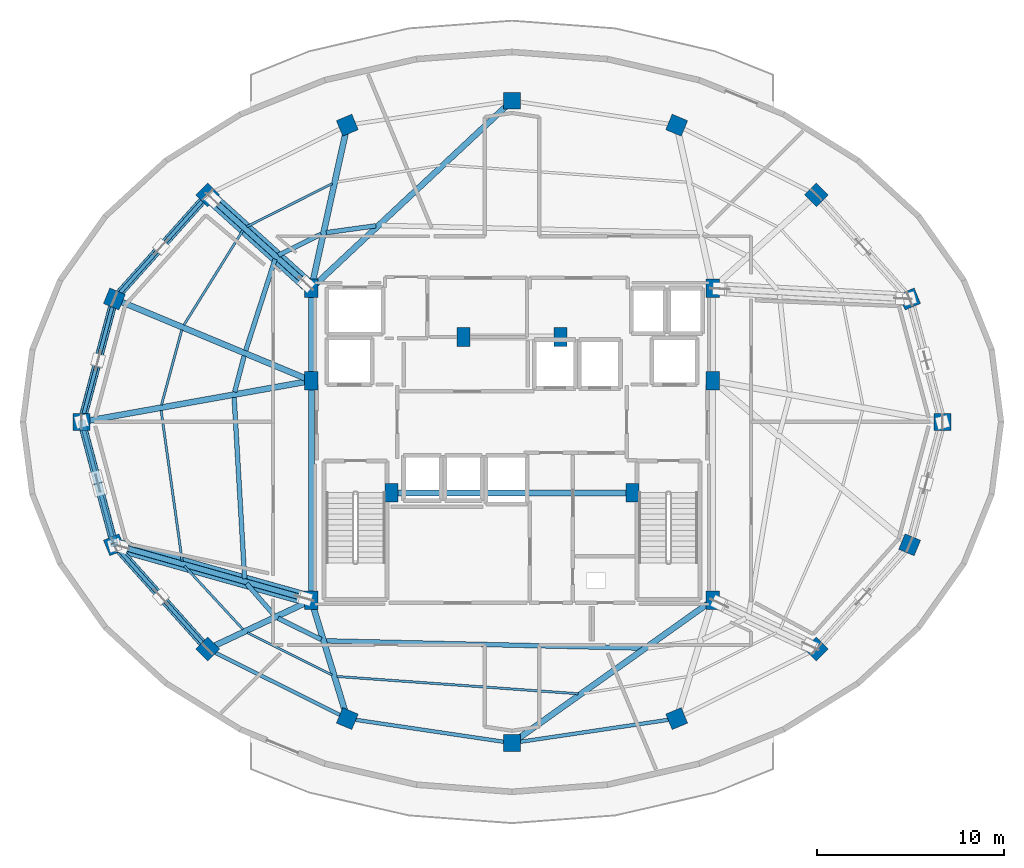
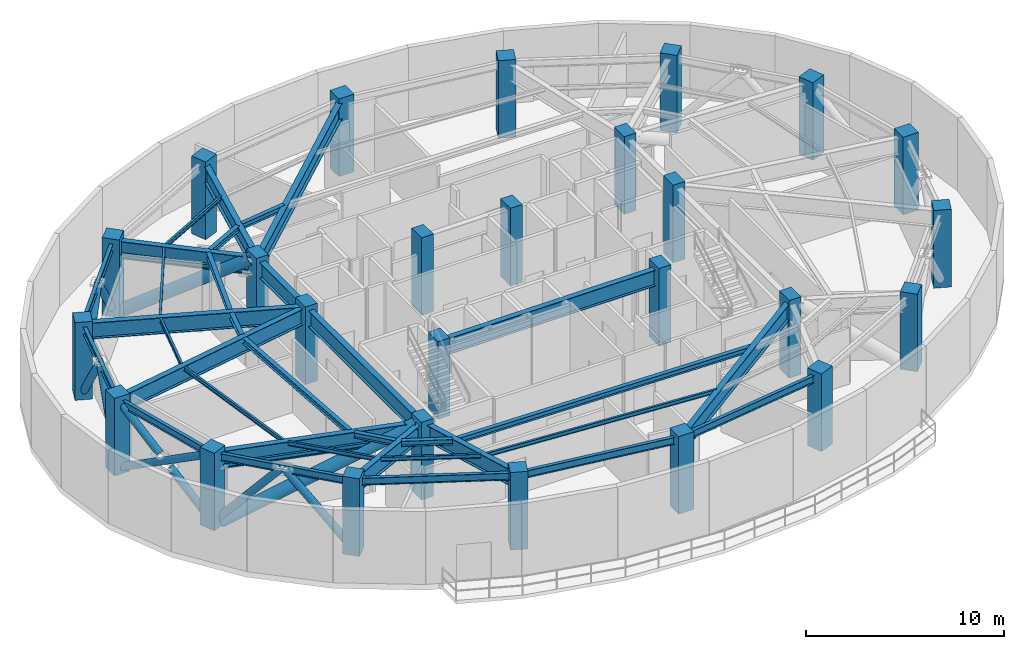
# One storey, part 1 of 10: 34 beams, 26 columns, 13 members.
"""IFC4 building model written with IfcOpenShell, lengths in metres."""

from ifc_helpers import new_model, si_unit, direction, frame, origin, origin_2d, place, context, subcontext, project, spatial, rectangle, hollow_rectangle, hollow_circle, i_section, extrude, material, material_profile, profile_set, type_object, element, save


model = new_model("IFC4")

# Units and contexts
model_context = context("Model", 3, precision=1e-05, world=origin(), true_north=direction((0.0, 1.0)))
body_context = subcontext(model_context, "Body", "Model", "MODEL_VIEW")
ifc_project = project(units=[si_unit("LENGTHUNIT", "METRE"), si_unit("AREAUNIT", "SQUARE_METRE"), si_unit("VOLUMEUNIT", "CUBIC_METRE"), si_unit("PLANEANGLEUNIT", "RADIAN"), si_unit("MASSUNIT", "GRAM", prefix="KILO")], contexts=[model_context])

# Site, building, storey
site_placement = place(None, origin())
site = spatial("IfcSite", under=ifc_project, at=site_placement, CompositionType="ELEMENT")
building_placement = place(site_placement, origin())
building = spatial("IfcBuilding", under=site, at=building_placement, Name="Vorneva Point Tower", CompositionType="ELEMENT")
storey_placement = place(building_placement, frame((0.0, 0.0, 224.949951171875)))
storey = spatial("IfcBuildingStorey", under=building, at=storey_placement, Name="L61", CompositionType="ELEMENT", Elevation=224.949951171875)

# Columns
ifc_material_1 = material(Name="Concrete B50 (C40/50)", Category="concrete")
ifc_material_profile_1 = material_profile(ifc_material_1, rectangle(XDim=0.89990234375, YDim=0.89990234375, at=origin_2d()), Name="RC-COL 900x900")
ifc_profile_set_1 = profile_set([ifc_material_profile_1], Name="Concrete B50 (C40/50)")
column_type_1 = type_object("IfcColumnType", Name="COL-RC900", PredefinedType="COLUMN", material=ifc_profile_set_1)
for number, where, z_axis, x_axis, name in (
    (1, (61.050048828125, 26.0, 0.0), (0.0, 0.0, 1.0), (1.0, 0.0, 0.0), "L61 Perimeter Column P01"),
    (2, (59.29541015625, 32.582275390625, 0.0), (0.0, 0.0, 1.0), (0.923879532511, 0.382683432365, 0.0), "L61 Perimeter Column P02"),
    (3, (54.298828125, 38.162109375, 0.0), (0.0, 0.0, 1.0), (0.707106781187, 0.707106781187, 0.0), "L61 Perimeter Column P03"),
    (4, (46.82080078125, 41.890625, 0.0), (0.0, 0.0, 1.0), (0.382683432365, 0.923879532511, 0.0), "L61 Perimeter Column P04"),
    (5, (38.0, 43.199951171875, 0.0), (0.0, 0.0, 1.0), (0.0, 1.0, 0.0), "L61 Perimeter Column P05"),
    (6, (29.17919921875, 41.890625, 0.0), (0.0, 0.0, 1.0), (-0.382683432365, 0.923879532511, 0.0), "L61 Perimeter Column P06"),
    (7, (21.701171875, 38.162109375, 0.0), (0.0, 0.0, 1.0), (-0.707106781187, 0.707106781187, 0.0), "L61 Perimeter Column P07"),
    (8, (16.70458984375, 32.582275390625, 0.0), (0.0, 0.0, 1.0), (-0.923879532511, 0.382683432365, 0.0), "L61 Perimeter Column P08"),
    (9, (14.949951171875, 26.0, 0.0), (0.0, 0.0, 1.0), (-1.0, 0.0, 0.0), "L61 Perimeter Column P09"),
    (10, (16.70458984375, 19.417724609375, 0.0), (0.0, 0.0, 1.0), (-0.923879532511, -0.382683432365, 0.0), "L61 Perimeter Column P10"),
    (11, (21.701171875, 13.837890625, 0.0), (0.0, 0.0, 1.0), (-0.707106781187, -0.707106781187, 0.0), "L61 Perimeter Column P11"),
    (12, (29.17919921875, 10.109375, 0.0), (0.0, 0.0, 1.0), (-0.382683432365, -0.923879532511, 0.0), "L61 Perimeter Column P12"),
    (13, (38.0, 8.800048828125, 0.0), (0.0, 0.0, 1.0), (0.0, -1.0, 0.0), "L61 Perimeter Column P13"),
    (14, (46.82080078125, 10.109375, 0.0), (0.0, 0.0, 1.0), (0.382683432365, -0.923879532511, 0.0), "L61 Perimeter Column P14"),
    (15, (54.298828125, 13.837890625, 0.0), (0.0, 0.0, 1.0), (0.707106781187, -0.707106781187, 0.0), "L61 Perimeter Column P15"),
    (16, (59.29541015625, 19.417724609375, 0.0), (0.0, 0.0, 1.0), (0.923879532511, -0.382683432365, 0.0), "L61 Perimeter Column P16"),
):
    element("IfcColumn", number, at=place(storey_placement, frame(where, z_axis=z_axis, x_axis=x_axis)), inside=storey, type_object=column_type_1, Name=name, PredefinedType="COLUMN", context=body_context, shape_type="SweptSolid", body=[
        extrude(rectangle(XDim=0.89990234375, YDim=0.89990234375, at=origin_2d()), origin(), (0.0, 0.0, 1.0), 4.800048828125),
    ])
ifc_material_profile_2 = material_profile(ifc_material_1, rectangle(XDim=0.699951171875, YDim=1.0, at=origin_2d()), Name="RC-PIL 1000x700")
ifc_profile_set_2 = profile_set([ifc_material_profile_2], Name="Concrete B50 (C40/50)")
column_type_2 = type_object("IfcColumnType", Name="PIL-RC1000x700", PredefinedType="PILASTER", material=ifc_profile_set_2)
for number, where, z_axis, x_axis, name in (
    (17, (27.25, 16.449951171875, 0.0), (0.0, 0.0, 1.0), (1.0, 0.0, 0.0), "L61 Core Pilaster CP1"),
    (18, (27.25, 28.199951171875, 0.0), (0.0, 0.0, 1.0), (1.0, 0.0, 0.0), "L61 Core Pilaster CP2"),
    (19, (27.25, 33.14990234375, 0.0), (0.0, 0.0, 1.0), (1.0, 0.0, 0.0), "L61 Core Pilaster CP3"),
    (20, (31.550048828125, 22.199951171875, 0.0), (0.0, 0.0, 1.0), (1.0, 0.0, 0.0), "L61 Core Pilaster CP4"),
    (21, (48.75, 33.14990234375, 0.0), (0.0, 0.0, 1.0), (1.0, 0.0, 0.0), "L61 Core Pilaster CP5"),
    (22, (48.75, 28.199951171875, 0.0), (0.0, 0.0, 1.0), (1.0, 0.0, 0.0), "L61 Core Pilaster CP6"),
    (23, (48.75, 16.449951171875, 0.0), (0.0, 0.0, 1.0), (1.0, 0.0, 0.0), "L61 Core Pilaster CP7"),
    (24, (44.449951171875, 22.199951171875, 0.0), (0.0, 0.0, 1.0), (1.0, 0.0, 0.0), "L61 Core Pilaster CP8"),
    (25, (35.39990234375, 30.550048828125, 0.0), (0.0, 0.0, 1.0), (1.0, 0.0, 0.0), "L61 Core Pilaster CP9"),
    (26, (40.60009765625, 30.550048828125, 0.0), (0.0, 0.0, 1.0), (1.0, 0.0, 0.0), "L61 Core Pilaster CP10"),
):
    element("IfcColumn", number, at=place(storey_placement, frame(where, z_axis=z_axis, x_axis=x_axis)), inside=storey, type_object=column_type_2, Name=name, PredefinedType="PILASTER", context=body_context, shape_type="SweptSolid", body=[
        extrude(rectangle(XDim=0.699951171875, YDim=1.0, at=origin_2d()), origin(), (0.0, 0.0, 1.0), 4.800048828125),
    ])

# Beams
ifc_material_2 = material(Name="Steel S460", Category="steel")
ifc_material_profile_3 = material_profile(ifc_material_2, i_section(OverallWidth=0.320068359375, OverallDepth=0.998046875, WebThickness=0.01708984375, FlangeThickness=0.027099609375, at=origin_2d()), Name="100Sh2")
ifc_profile_set_3 = profile_set([ifc_material_profile_3], Name="Steel S460")
beam_type_1 = type_object("IfcBeamType", Name="BM-GRD-100Sh2", PredefinedType="USERDEFINED", material=ifc_profile_set_3)
beam_1_placement = place(storey_placement, frame((37.679931640625, 42.90087890625, 4.0009765625), z_axis=(-0.730484767146, -0.682928989696, 0.0), x_axis=(0.682928989696, -0.730484767146, 0.0)))
element("IfcBeam", 27, at=beam_1_placement, inside=storey, type_object=beam_type_1, Name="L61 Radial Primary Girder 05", ObjectType="GIRDER", PredefinedType="USERDEFINED", context=body_context, shape_type="SweptSolid", body=[
    extrude(i_section(OverallWidth=0.320068359375, OverallDepth=0.998046875, WebThickness=0.01708984375, FlangeThickness=0.027099609375, at=origin_2d()), origin(), (0.0, 0.0, 1.0), 13.938232421875),
])
beam_2_placement = place(storey_placement, frame((29.084716796875, 41.462890625, 4.0009765625), z_axis=(-0.215522758292, -0.976498817541, 0.0), x_axis=(0.976498817541, -0.215522758292, 0.0)))
element("IfcBeam", 28, at=beam_2_placement, inside=storey, type_object=beam_type_1, Name="L61 Radial Primary Girder 06", ObjectType="GIRDER", PredefinedType="USERDEFINED", context=body_context, shape_type="SweptSolid", body=[
    extrude(i_section(OverallWidth=0.320068359375, OverallDepth=0.998046875, WebThickness=0.01708984375, FlangeThickness=0.027099609375, at=origin_2d()), origin(), (0.0, 0.0, 1.0), 8.173095703125),
])
beam_3_placement = place(storey_placement, frame((22.026123046875, 37.86865234375, 4.0009765625), z_axis=(0.742089778537, -0.670300500217, 0.0), x_axis=(0.670300500217, 0.742089778537, 0.0)))
element("IfcBeam", 29, at=beam_3_placement, inside=storey, type_object=beam_type_1, Name="L61 Radial Primary Girder 07", ObjectType="GIRDER", PredefinedType="USERDEFINED", context=body_context, shape_type="SweptSolid", body=[
    extrude(i_section(OverallWidth=0.320068359375, OverallDepth=0.998046875, WebThickness=0.01708984375, FlangeThickness=0.027099609375, at=origin_2d()), origin(), (0.0, 0.0, 1.0), 6.699462890625),
])
beam_4_placement = place(storey_placement, frame((17.109130859375, 32.4140625, 4.0009765625), z_axis=(0.923445067159, -0.383730645035, 0.0), x_axis=(0.383730645035, 0.923445067159, 0.0)))
element("IfcBeam", 30, at=beam_4_placement, inside=storey, type_object=beam_type_1, Name="L61 Radial Primary Girder 08", ObjectType="GIRDER", PredefinedType="USERDEFINED", context=body_context, shape_type="SweptSolid", body=[
    extrude(i_section(OverallWidth=0.320068359375, OverallDepth=0.998046875, WebThickness=0.01708984375, FlangeThickness=0.027099609375, at=origin_2d()), origin(), (0.0, 0.0, 1.0), 10.6416015625),
])
beam_5_placement = place(storey_placement, frame((15.381103515625, 26.0771484375, 4.0009765625), z_axis=(0.984378602255, 0.176064668298, 0.0), x_axis=(-0.176064668298, 0.984378602255, 0.0)))
element("IfcBeam", 31, at=beam_5_placement, inside=storey, type_object=beam_type_1, Name="L61 Radial Primary Girder 09", ObjectType="GIRDER", PredefinedType="USERDEFINED", context=body_context, shape_type="SweptSolid", body=[
    extrude(i_section(OverallWidth=0.320068359375, OverallDepth=0.998046875, WebThickness=0.01708984375, FlangeThickness=0.027099609375, at=origin_2d()), origin(), (0.0, 0.0, 1.0), 11.71728515625),
])
beam_6_placement = place(storey_placement, frame((17.126220703125, 19.299072265625, 4.0009765625), z_axis=(0.962603641144, -0.270913694847, 0.0), x_axis=(0.270913694847, 0.962603641144, 0.0)))
element("IfcBeam", 32, at=beam_6_placement, inside=storey, type_object=beam_type_1, Name="L61 Radial Primary Girder 10", ObjectType="GIRDER", PredefinedType="USERDEFINED", context=body_context, shape_type="SweptSolid", body=[
    extrude(i_section(OverallWidth=0.320068359375, OverallDepth=0.998046875, WebThickness=0.01708984375, FlangeThickness=0.027099609375, at=origin_2d()), origin(), (0.0, 0.0, 1.0), 10.177001953125),
])
beam_7_placement = place(storey_placement, frame((22.097412109375, 14.0244140625, 4.0009765625), z_axis=(0.904762899762, 0.42591559635, 0.0), x_axis=(-0.42591559635, 0.904762899762, 0.0)))
element("IfcBeam", 33, at=beam_7_placement, inside=storey, type_object=beam_type_1, Name="L61 Radial Primary Girder 11", ObjectType="GIRDER", PredefinedType="USERDEFINED", context=body_context, shape_type="SweptSolid", body=[
    extrude(i_section(OverallWidth=0.320068359375, OverallDepth=0.998046875, WebThickness=0.01708984375, FlangeThickness=0.027099609375, at=origin_2d()), origin(), (0.0, 0.0, 1.0), 5.35498046875),
])
beam_8_placement = place(storey_placement, frame((29.051513671875, 10.5283203125, 4.0009765625), z_axis=(-0.291025429135, 0.956715317948, 0.0), x_axis=(-0.956715317948, -0.291025429135, 0.0)))
element("IfcBeam", 34, at=beam_8_placement, inside=storey, type_object=beam_type_1, Name="L61 Radial Primary Girder 12", ObjectType="GIRDER", PredefinedType="USERDEFINED", context=body_context, shape_type="SweptSolid", body=[
    extrude(i_section(OverallWidth=0.320068359375, OverallDepth=0.998046875, WebThickness=0.01708984375, FlangeThickness=0.027099609375, at=origin_2d()), origin(), (0.0, 0.0, 1.0), 5.849609375),
])
beam_9_placement = place(storey_placement, frame((38.35693359375, 9.053955078125, 4.0009765625), z_axis=(0.814749933852, 0.579812508737, 0.0), x_axis=(-0.579812508737, 0.814749933852, 0.0)))
element("IfcBeam", 35, at=beam_9_placement, inside=storey, type_object=beam_type_1, Name="L61 Radial Primary Girder 13", ObjectType="GIRDER", PredefinedType="USERDEFINED", context=body_context, shape_type="SweptSolid", body=[
    extrude(i_section(OverallWidth=0.320068359375, OverallDepth=0.998046875, WebThickness=0.01708984375, FlangeThickness=0.027099609375, at=origin_2d()), origin(), (0.0, 0.0, 1.0), 12.416015625),
])
beam_10_placement = place(storey_placement, frame((27.25, 16.77001953125, 4.0009765625), z_axis=(0.0, 1.0, 0.0), x_axis=(-1.0, 0.0, 0.0)))
element("IfcBeam", 36, at=beam_10_placement, inside=storey, type_object=beam_type_1, Name="L61 Core Tie Girder CT1", ObjectType="GIRDER", PredefinedType="USERDEFINED", context=body_context, shape_type="SweptSolid", body=[
    extrude(i_section(OverallWidth=0.320068359375, OverallDepth=0.998046875, WebThickness=0.01708984375, FlangeThickness=0.027099609375, at=origin_2d()), origin(), (0.0, 0.0, 1.0), 11.10986328125),
])
beam_11_placement = place(storey_placement, frame((27.25, 28.52001953125, 4.0009765625), z_axis=(0.0, 1.0, 0.0), x_axis=(-1.0, 0.0, 0.0)))
element("IfcBeam", 37, at=beam_11_placement, inside=storey, type_object=beam_type_1, Name="L61 Core Tie Girder CT2", ObjectType="GIRDER", PredefinedType="USERDEFINED", context=body_context, shape_type="SweptSolid", body=[
    extrude(i_section(OverallWidth=0.320068359375, OverallDepth=0.998046875, WebThickness=0.01708984375, FlangeThickness=0.027099609375, at=origin_2d()), origin(), (0.0, 0.0, 1.0), 4.31005859375),
])
beam_12_placement = place(storey_placement, frame((31.8701171875, 22.199951171875, 4.0009765625), z_axis=(1.0, 0.0, 0.0), x_axis=(0.0, 1.0, 0.0)))
element("IfcBeam", 38, at=beam_12_placement, inside=storey, type_object=beam_type_1, Name="L61 Core Tie Girder CT7", ObjectType="GIRDER", PredefinedType="USERDEFINED", context=body_context, shape_type="SweptSolid", body=[
    extrude(i_section(OverallWidth=0.320068359375, OverallDepth=0.998046875, WebThickness=0.01708984375, FlangeThickness=0.027099609375, at=origin_2d()), origin(), (0.0, 0.0, 1.0), 12.259765625),
])
ifc_material_3 = material(Name="Steel S355", Category="steel")
ifc_material_profile_4 = material_profile(ifc_material_3, i_section(OverallWidth=0.1240234375, OverallDepth=0.248046875, WebThickness=0.0048828125, FlangeThickness=0.008056640625, at=origin_2d()), Name="25B1")
ifc_profile_set_4 = profile_set([ifc_material_profile_4], Name="Steel S355")
beam_type_2 = type_object("IfcBeamType", Name="BM-JST-25B1", PredefinedType="JOIST", material=ifc_profile_set_4)
beam_13_placement = place(storey_placement, frame((28.371337890625, 38.7626953125, 4.3759765625), z_axis=(-0.892618397327, -0.450813039688, 0.0), x_axis=(0.450813039688, -0.892618397327, 0.0)))
element("IfcBeam", 39, at=beam_13_placement, inside=storey, type_object=beam_type_2, Name="L61 Secondary Floor Beam 1.06", PredefinedType="JOIST", context=body_context, shape_type="SweptSolid", body=[
    extrude(i_section(OverallWidth=0.1240234375, OverallDepth=0.248046875, WebThickness=0.0048828125, FlangeThickness=0.008056640625, at=origin_2d()), origin(), (0.0, 0.0, 1.0), 5.12255859375),
])
beam_14_placement = place(storey_placement, frame((23.58837890625, 36.260986328125, 4.3759765625), z_axis=(-0.528815219651, -0.848736981323, 0.0), x_axis=(0.848736981323, -0.528815219651, 0.0)))
element("IfcBeam", 40, at=beam_14_placement, inside=storey, type_object=beam_type_2, Name="L61 Secondary Floor Beam 1.07", PredefinedType="JOIST", context=body_context, shape_type="SweptSolid", body=[
    extrude(i_section(OverallWidth=0.1240234375, OverallDepth=0.248046875, WebThickness=0.0048828125, FlangeThickness=0.008056640625, at=origin_2d()), origin(), (0.0, 0.0, 1.0), 5.97216796875),
])
beam_15_placement = place(storey_placement, frame((20.3134765625, 30.923583984375, 4.3759765625), z_axis=(-0.260950343506, -0.965352224954, 0.0), x_axis=(0.965352224954, -0.260950343506, 0.0)))
element("IfcBeam", 41, at=beam_15_placement, inside=storey, type_object=beam_type_2, Name="L61 Secondary Floor Beam 1.08", PredefinedType="JOIST", context=body_context, shape_type="SweptSolid", body=[
    extrude(i_section(OverallWidth=0.1240234375, OverallDepth=0.248046875, WebThickness=0.0048828125, FlangeThickness=0.008056640625, at=origin_2d()), origin(), (0.0, 0.0, 1.0), 4.1669921875),
])
beam_16_placement = place(storey_placement, frame((19.2080078125, 26.611328125, 4.3759765625), z_axis=(0.138624939768, -0.990344953072, 0.0), x_axis=(0.990344953072, 0.138624939768, 0.0)))
element("IfcBeam", 42, at=beam_16_placement, inside=storey, type_object=beam_type_2, Name="L61 Secondary Floor Beam 1.09", PredefinedType="JOIST", context=body_context, shape_type="SweptSolid", body=[
    extrude(i_section(OverallWidth=0.1240234375, OverallDepth=0.248046875, WebThickness=0.0048828125, FlangeThickness=0.008056640625, at=origin_2d()), origin(), (0.0, 0.0, 1.0), 8.154052734375),
])
beam_17_placement = place(storey_placement, frame((20.45947265625, 18.280517578125, 4.3759765625), z_axis=(0.678611313889, -0.734497572945, 0.0), x_axis=(0.734497572945, 0.678611313889, 0.0)))
element("IfcBeam", 43, at=beam_17_placement, inside=storey, type_object=beam_type_2, Name="L61 Secondary Floor Beam 1.10", PredefinedType="JOIST", context=body_context, shape_type="SweptSolid", body=[
    extrude(i_section(OverallWidth=0.1240234375, OverallDepth=0.248046875, WebThickness=0.0048828125, FlangeThickness=0.008056640625, at=origin_2d()), origin(), (0.0, 0.0, 1.0), 4.621826171875),
])
beam_18_placement = place(storey_placement, frame((23.82861328125, 14.710693359375, 4.3759765625), z_axis=(0.894041288209, -0.447984570022, 0.0), x_axis=(0.447984570022, 0.894041288209, 0.0)))
element("IfcBeam", 44, at=beam_18_placement, inside=storey, type_object=beam_type_2, Name="L61 Secondary Floor Beam 1.11", PredefinedType="JOIST", context=body_context, shape_type="SweptSolid", body=[
    extrude(i_section(OverallWidth=0.1240234375, OverallDepth=0.248046875, WebThickness=0.0048828125, FlangeThickness=0.008056640625, at=origin_2d()), origin(), (0.0, 0.0, 1.0), 5.0654296875),
])
beam_19_placement = place(storey_placement, frame((28.637451171875, 12.364501953125, 4.3759765625), z_axis=(0.997446813164, -0.071413268431, 0.0), x_axis=(0.071413268431, 0.997446813164, 0.0)))
element("IfcBeam", 45, at=beam_19_placement, inside=storey, type_object=beam_type_2, Name="L61 Secondary Floor Beam 1.12", PredefinedType="JOIST", context=body_context, shape_type="SweptSolid", body=[
    extrude(i_section(OverallWidth=0.1240234375, OverallDepth=0.248046875, WebThickness=0.0048828125, FlangeThickness=0.008056640625, at=origin_2d()), origin(), (0.0, 0.0, 1.0), 12.943115234375),
])
ifc_material_profile_5 = material_profile(ifc_material_3, i_section(OverallWidth=0.2490234375, OverallDepth=0.333984375, WebThickness=0.008056640625, FlangeThickness=0.010986328125, at=origin_2d()), Name="35Sh1")
ifc_profile_set_5 = profile_set([ifc_material_profile_5], Name="Steel S355")
beam_type_3 = type_object("IfcBeamType", Name="BM-SEC-35Sh1", PredefinedType="BEAM", material=ifc_profile_set_5)
beam_20_placement = place(storey_placement, frame((30.711669921875, 36.503173828125, 4.3330078125), z_axis=(-0.990609245056, -0.136723529831, 0.0), x_axis=(0.136723529831, -0.990609245056, 0.0)))
element("IfcBeam", 46, at=beam_20_placement, inside=storey, type_object=beam_type_3, Name="L61 Secondary Floor Beam 2.05", PredefinedType="BEAM", context=body_context, shape_type="SweptSolid", body=[
    extrude(i_section(OverallWidth=0.2490234375, OverallDepth=0.333984375, WebThickness=0.008056640625, FlangeThickness=0.010986328125, at=origin_2d()), origin(), (0.0, 0.0, 1.0), 2.685546875),
])
beam_21_placement = place(storey_placement, frame((27.771728515625, 36.05029296875, 4.3330078125), z_axis=(-0.896927178467, -0.442178285907, 0.0), x_axis=(0.442178285907, -0.896927178467, 0.0)))
element("IfcBeam", 47, at=beam_21_placement, inside=storey, type_object=beam_type_3, Name="L61 Secondary Floor Beam 2.06", PredefinedType="BEAM", context=body_context, shape_type="SweptSolid", body=[
    extrude(i_section(OverallWidth=0.2490234375, OverallDepth=0.333984375, WebThickness=0.008056640625, FlangeThickness=0.010986328125, at=origin_2d()), origin(), (0.0, 0.0, 1.0), 2.544189453125),
])
beam_22_placement = place(storey_placement, frame((25.31201171875, 34.718994140625, 4.3330078125), z_axis=(-0.305791117997, -0.952098625224, 0.0), x_axis=(0.952098625224, -0.305791117997, 0.0)))
element("IfcBeam", 48, at=beam_22_placement, inside=storey, type_object=beam_type_3, Name="L61 Secondary Floor Beam 2.07", PredefinedType="BEAM", context=body_context, shape_type="SweptSolid", body=[
    extrude(i_section(OverallWidth=0.2490234375, OverallDepth=0.333984375, WebThickness=0.008056640625, FlangeThickness=0.010986328125, at=origin_2d()), origin(), (0.0, 0.0, 1.0), 5.146484375),
])
beam_23_placement = place(storey_placement, frame((23.655517578125, 29.534912109375, 4.3330078125), z_axis=(-0.254589509982, -0.967049213539, 0.0), x_axis=(0.967049213539, -0.254589509982, 0.0)))
element("IfcBeam", 49, at=beam_23_placement, inside=storey, type_object=beam_type_3, Name="L61 Secondary Floor Beam 2.08", PredefinedType="BEAM", context=body_context, shape_type="SweptSolid", body=[
    extrude(i_section(OverallWidth=0.2490234375, OverallDepth=0.333984375, WebThickness=0.008056640625, FlangeThickness=0.010986328125, at=origin_2d()), origin(), (0.0, 0.0, 1.0), 1.99853515625),
])
beam_24_placement = place(storey_placement, frame((23.11767578125, 27.3115234375, 4.3330078125), z_axis=(0.057946710298, -0.998319677641, 0.0), x_axis=(0.998319677641, 0.057946710298, 0.0)))
element("IfcBeam", 50, at=beam_24_placement, inside=storey, type_object=beam_type_3, Name="L61 Secondary Floor Beam 2.09", PredefinedType="BEAM", context=body_context, shape_type="SweptSolid", body=[
    extrude(i_section(OverallWidth=0.2490234375, OverallDepth=0.333984375, WebThickness=0.008056640625, FlangeThickness=0.010986328125, at=origin_2d()), origin(), (0.0, 0.0, 1.0), 9.728271484375),
])
beam_25_placement = place(storey_placement, frame((23.787109375, 17.34033203125, 4.3330078125), z_axis=(0.656643699299, -0.754200936204, 0.0), x_axis=(0.754200936204, 0.656643699299, 0.0)))
element("IfcBeam", 51, at=beam_25_placement, inside=storey, type_object=beam_type_3, Name="L61 Secondary Floor Beam 2.10", PredefinedType="BEAM", context=body_context, shape_type="SweptSolid", body=[
    extrude(i_section(OverallWidth=0.2490234375, OverallDepth=0.333984375, WebThickness=0.008056640625, FlangeThickness=0.010986328125, at=origin_2d()), origin(), (0.0, 0.0, 1.0), 2.22216796875),
])
beam_26_placement = place(storey_placement, frame((25.47607421875, 15.48681640625, 4.3330078125), z_axis=(0.89567743454, -0.444704321158, 0.0), x_axis=(0.444704321158, 0.89567743454, 0.0)))
element("IfcBeam", 52, at=beam_26_placement, inside=storey, type_object=beam_type_3, Name="L61 Secondary Floor Beam 2.11", PredefinedType="BEAM", context=body_context, shape_type="SweptSolid", body=[
    extrude(i_section(OverallWidth=0.2490234375, OverallDepth=0.333984375, WebThickness=0.008056640625, FlangeThickness=0.010986328125, at=origin_2d()), origin(), (0.0, 0.0, 1.0), 2.5703125),
])
beam_27_placement = place(storey_placement, frame((28.058837890625, 14.2744140625, 4.3330078125), z_axis=(0.999729521707, -0.023256900623, 0.0), x_axis=(0.023256900623, 0.999729521707, 0.0)))
element("IfcBeam", 53, at=beam_27_placement, inside=storey, type_object=beam_type_3, Name="L61 Secondary Floor Beam 2.12", PredefinedType="BEAM", context=body_context, shape_type="SweptSolid", body=[
    extrude(i_section(OverallWidth=0.2490234375, OverallDepth=0.333984375, WebThickness=0.008056640625, FlangeThickness=0.010986328125, at=origin_2d()), origin(), (0.0, 0.0, 1.0), 16.9326171875),
])
ifc_material_profile_6 = material_profile(ifc_material_3, i_section(OverallWidth=0.198974609375, OverallDepth=0.446044921875, WebThickness=0.008056640625, FlangeThickness=0.011962890625, at=origin_2d()), Name="45B1")
ifc_profile_set_6 = profile_set([ifc_material_profile_6], Name="Steel S355")
beam_type_4 = type_object("IfcBeamType", Name="BM-SPN-45B1", PredefinedType="SPANDREL", material=ifc_profile_set_6)
beam_28_placement = place(storey_placement, frame((21.410888671875, 37.838134765625, 4.277099609375), z_axis=(-0.66706970547, -0.744995307397, 0.0), x_axis=(0.744995307397, -0.66706970547, 0.0)))
element("IfcBeam", 54, at=beam_28_placement, inside=storey, type_object=beam_type_4, Name="L61 Perimeter Spandrel Ring Beam 07", PredefinedType="SPANDREL", context=body_context, shape_type="SweptSolid", body=[
    extrude(i_section(OverallWidth=0.198974609375, OverallDepth=0.446044921875, WebThickness=0.008056640625, FlangeThickness=0.011962890625, at=origin_2d()), origin(), (0.0, 0.0, 1.0), 6.6201171875),
])
for number, where, z_axis, x_axis, name in (
    (55, (16.592529296875, 32.161865234375, 4.277099609375), (-0.257578258003, -0.966257440336, 0.0), (0.966257440336, -0.257578258003, 0.0), "L61 Perimeter Spandrel Ring Beam 08"),
    (56, (15.06201171875, 25.57958984375, 4.277099609375), (0.257578258003, -0.966257440336, 0.0), (0.966257440336, 0.257578258003, 0.0), "L61 Perimeter Spandrel Ring Beam 09"),
):
    element("IfcBeam", number, at=place(storey_placement, frame(where, z_axis=z_axis, x_axis=x_axis)), inside=storey, type_object=beam_type_4, Name=name, PredefinedType="SPANDREL", context=body_context, shape_type="SweptSolid", body=[
        extrude(i_section(OverallWidth=0.198974609375, OverallDepth=0.446044921875, WebThickness=0.008056640625, FlangeThickness=0.011962890625, at=origin_2d()), origin(), (0.0, 0.0, 1.0), 5.94189453125),
    ])
beam_29_placement = place(storey_placement, frame((16.994873046875, 19.09375, 4.277099609375), z_axis=(0.66706970547, -0.744995307397, 0.0), x_axis=(0.744995307397, 0.66706970547, 0.0)))
element("IfcBeam", 57, at=beam_29_placement, inside=storey, type_object=beam_type_4, Name="L61 Perimeter Spandrel Ring Beam 10", PredefinedType="SPANDREL", context=body_context, shape_type="SweptSolid", body=[
    extrude(i_section(OverallWidth=0.198974609375, OverallDepth=0.446044921875, WebThickness=0.008056640625, FlangeThickness=0.011962890625, at=origin_2d()), origin(), (0.0, 0.0, 1.0), 6.6201171875),
])
beam_30_placement = place(storey_placement, frame((22.090576171875, 13.643798828125, 4.277099609375), z_axis=(0.894922371084, -0.446221861559, 0.0), x_axis=(0.446221861559, 0.894922371084, 0.0)))
element("IfcBeam", 58, at=beam_30_placement, inside=storey, type_object=beam_type_4, Name="L61 Perimeter Spandrel Ring Beam 11", PredefinedType="SPANDREL", context=body_context, shape_type="SweptSolid", body=[
    extrude(i_section(OverallWidth=0.198974609375, OverallDepth=0.446044921875, WebThickness=0.008056640625, FlangeThickness=0.011962890625, at=origin_2d()), origin(), (0.0, 0.0, 1.0), 7.48583984375),
])
for number, where, z_axis, x_axis, name in (
    (59, (29.609375, 10.04541015625, 4.277099609375), (0.989165476332, -0.146804837907, 0.0), (0.146804837907, 0.989165476332, 0.0), "L61 Perimeter Spandrel Ring Beam 12"),
    (60, (38.430419921875, 8.864013671875, 4.277099609375), (0.989165476332, 0.146804837907, 0.0), (-0.146804837907, 0.989165476332, 0.0), "L61 Perimeter Spandrel Ring Beam 13"),
):
    element("IfcBeam", number, at=place(storey_placement, frame(where, z_axis=z_axis, x_axis=x_axis)), inside=storey, type_object=beam_type_4, Name=name, PredefinedType="SPANDREL", context=body_context, shape_type="SweptSolid", body=[
        extrude(i_section(OverallWidth=0.198974609375, OverallDepth=0.446044921875, WebThickness=0.008056640625, FlangeThickness=0.011962890625, at=origin_2d()), origin(), (0.0, 0.0, 1.0), 8.04736328125),
    ])

# Members
ifc_material_profile_7 = material_profile(ifc_material_2, hollow_circle(Radius=0.212890625, WallThickness=0.01611328125, at=origin_2d()), Name="CHS 426x16")
ifc_profile_set_7 = profile_set([ifc_material_profile_7], Name="Steel S460")
member_type_1 = type_object("IfcMemberType", Name="MBR-BLT-CHS426", PredefinedType="BRACE", material=ifc_profile_set_7)
member_1_placement = place(storey_placement, frame((21.701171875, 38.162109375, 0.1201171875), z_axis=(-0.442212469084, -0.493810405963, 0.748731871333), x_axis=(0.744954798906, -0.66711494331, 0.0)))
element("IfcMember", 61, at=member_1_placement, inside=storey, type_object=member_type_1, Name="L61 Perimeter Belt-Truss Diagonal 07A", PredefinedType="BRACE", context=body_context, shape_type="SweptSolid", body=[
    extrude(hollow_circle(Radius=0.212890625, WallThickness=0.01611328125, at=origin_2d()), origin(), (0.0, 0.0, 1.0), 5.6494140625),
])
member_2_placement = place(storey_placement, frame((16.70458984375, 32.582275390625, 0.1201171875), z_axis=(0.442203032293, 0.493843081505, 0.748715893434), x_axis=(-0.744983810219, 0.6670825455, 0.0)))
element("IfcMember", 62, at=member_2_placement, inside=storey, type_object=member_type_1, Name="L61 Perimeter Belt-Truss Diagonal 07B", PredefinedType="BRACE", context=body_context, shape_type="SweptSolid", body=[
    extrude(hollow_circle(Radius=0.212890625, WallThickness=0.01611328125, at=origin_2d()), origin(), (0.0, 0.0, 1.0), 5.649658203125),
])
member_3_placement = place(storey_placement, frame((16.70458984375, 32.582275390625, 0.1201171875), z_axis=(-0.161519889588, -0.606025502794, 0.778873812136), x_axis=(0.96626943078, -0.257533273851, 0.0)))
element("IfcMember", 63, at=member_3_placement, inside=storey, type_object=member_type_1, Name="L61 Perimeter Belt-Truss Diagonal 08A", PredefinedType="BRACE", context=body_context, shape_type="SweptSolid", body=[
    extrude(hollow_circle(Radius=0.212890625, WallThickness=0.01611328125, at=origin_2d()), origin(), (0.0, 0.0, 1.0), 5.430908203125),
])
member_4_placement = place(storey_placement, frame((14.949951171875, 26.0, 0.1201171875), z_axis=(0.161568071846, 0.605992656786, 0.778889374739), x_axis=(-0.966246835672, 0.257618036158, 0.0)))
element("IfcMember", 64, at=member_4_placement, inside=storey, type_object=member_type_1, Name="L61 Perimeter Belt-Truss Diagonal 08B", PredefinedType="BRACE", context=body_context, shape_type="SweptSolid", body=[
    extrude(hollow_circle(Radius=0.212890625, WallThickness=0.01611328125, at=origin_2d()), origin(), (0.0, 0.0, 1.0), 5.4306640625),
])
member_5_placement = place(storey_placement, frame((14.949951171875, 26.0, 0.1201171875), z_axis=(0.218821253667, -0.820876557691, 0.527521502858), x_axis=(0.966258134442, 0.257575654176, 0.0)))
element("IfcMember", 65, at=member_5_placement, inside=storey, type_object=member_type_1, Name="L61 Perimeter Belt-Truss Continuous X-Brace 09A", PredefinedType="BRACE", context=body_context, shape_type="SweptSolid", body=[
    extrude(hollow_circle(Radius=0.212890625, WallThickness=0.01611328125, at=origin_2d()), origin(), (0.0, 0.0, 1.0), 8.0185546875),
])
for number, where, z_axis, x_axis, name in (
    (66, (16.70458984375, 19.417724609375, 0.1201171875), (-0.218815917235, 0.820884596043, 0.52751120779), (-0.966260325527, -0.257567434494, 0.0), "L61 Perimeter Belt-Truss Split X-Brace 09B1"),
    (67, (15.73095703125, 23.070068359375, 2.467041015625), (-0.21880802173, 0.820854976175, 0.527560572556), (-0.966260325527, -0.257567434494, 0.0), "L61 Perimeter Belt-Truss Split X-Brace 09B2"),
):
    element("IfcMember", number, at=place(storey_placement, frame(where, z_axis=z_axis, x_axis=x_axis)), inside=storey, type_object=member_type_1, Name=name, PredefinedType="BRACE", context=body_context, shape_type="SweptSolid", body=[
        extrude(hollow_circle(Radius=0.212890625, WallThickness=0.01611328125, at=origin_2d()), origin(), (0.0, 0.0, 1.0), 3.5693359375),
    ])
member_6_placement = place(storey_placement, frame((16.70458984375, 19.417724609375, 0.1201171875), z_axis=(0.442203032293, -0.493843081505, 0.748715893434), x_axis=(0.744983810219, 0.6670825455, 0.0)))
element("IfcMember", 68, at=member_6_placement, inside=storey, type_object=member_type_1, Name="L61 Perimeter Belt-Truss Diagonal 10A", PredefinedType="BRACE", context=body_context, shape_type="SweptSolid", body=[
    extrude(hollow_circle(Radius=0.212890625, WallThickness=0.01611328125, at=origin_2d()), origin(), (0.0, 0.0, 1.0), 5.649658203125),
])
member_7_placement = place(storey_placement, frame((21.701171875, 13.837890625, 0.1201171875), z_axis=(-0.442212469084, 0.493810405963, 0.748731871333), x_axis=(-0.744954798906, -0.66711494331, 0.0)))
element("IfcMember", 69, at=member_7_placement, inside=storey, type_object=member_type_1, Name="L61 Perimeter Belt-Truss Diagonal 10B", PredefinedType="BRACE", context=body_context, shape_type="SweptSolid", body=[
    extrude(hollow_circle(Radius=0.212890625, WallThickness=0.01611328125, at=origin_2d()), origin(), (0.0, 0.0, 1.0), 5.6494140625),
])
ifc_material_profile_8 = material_profile(ifc_material_2, hollow_circle(Radius=0.360107421875, WallThickness=0.02490234375, at=origin_2d()), Name="CHS 720x25")
ifc_profile_set_8 = profile_set([ifc_material_profile_8], Name="Steel S460")
member_type_2 = type_object("IfcMemberType", Name="MBR-OUT-CHS720", PredefinedType="BRACE", material=ifc_profile_set_8)
member_8_placement = place(storey_placement, frame((26.990234375, 33.384521484375, 4.35009765625), z_axis=(-0.629522749267, 0.5686485106, -0.529471415233), x_axis=(-0.670316975047, -0.742074897139, 0.0)))
element("IfcMember", 70, at=member_8_placement, inside=storey, type_object=member_type_2, Name="L61 Core Outrigger Diagonal 07A", PredefinedType="BRACE", context=body_context, shape_type="SweptSolid", body=[
    extrude(hollow_circle(Radius=0.360107421875, WallThickness=0.02490234375, at=origin_2d()), origin(), (0.0, 0.0, 1.0), 7.989013671875),
])
member_9_placement = place(storey_placement, frame((26.9130859375, 16.544921875, 4.35009765625), z_axis=(-0.88987871719, 0.250431070953, -0.38131371257), x_axis=(-0.270898627037, -0.962607881678, 0.0)))
element("IfcMember", 71, at=member_9_placement, inside=storey, type_object=member_type_2, Name="L61 Core Outrigger Diagonal 10A", PredefinedType="BRACE", context=body_context, shape_type="SweptSolid", body=[
    extrude(hollow_circle(Radius=0.360107421875, WallThickness=0.02490234375, at=origin_2d()), origin(), (0.0, 0.0, 1.0), 11.09326171875),
])
ifc_material_profile_9 = material_profile(ifc_material_3, hollow_rectangle(XDim=0.300048828125, YDim=0.300048828125, WallThickness=0.013916015625, at=origin_2d()), Name="PK 300x300x14")
ifc_profile_set_9 = profile_set([ifc_material_profile_9], Name="Steel S355")
member_type_3 = type_object("IfcMemberType", Name="MBR-STR-PK300", PredefinedType="STRUT", material=ifc_profile_set_9)
member_10_placement = place(storey_placement, frame((26.916015625, 33.45166015625, 3.570068359375), z_axis=(-0.742071075334, 0.670321205955, 0.0), x_axis=(-0.670321205955, -0.742071075334, 0.0)))
element("IfcMember", 72, at=member_10_placement, inside=storey, type_object=member_type_3, Name="L61 Core Outrigger Collector Strut 07B", PredefinedType="STRUT", context=body_context, shape_type="SweptSolid", body=[
    extrude(hollow_rectangle(XDim=0.300048828125, YDim=0.300048828125, WallThickness=0.013916015625, at=origin_2d()), origin(), (0.0, 0.0, 1.0), 6.577392578125),
])
member_11_placement = place(storey_placement, frame((26.81689453125, 16.572021484375, 3.570068359375), z_axis=(-0.962609399947, 0.270893231983, 0.0), x_axis=(-0.270893231983, -0.962609399947, 0.0)))
element("IfcMember", 73, at=member_11_placement, inside=storey, type_object=member_type_3, Name="L61 Core Outrigger Collector Strut 10B", PredefinedType="STRUT", context=body_context, shape_type="SweptSolid", body=[
    extrude(hollow_rectangle(XDim=0.300048828125, YDim=0.300048828125, WallThickness=0.013916015625, at=origin_2d()), origin(), (0.0, 0.0, 1.0), 10.05517578125),
])

save(model, "model.ifc")
